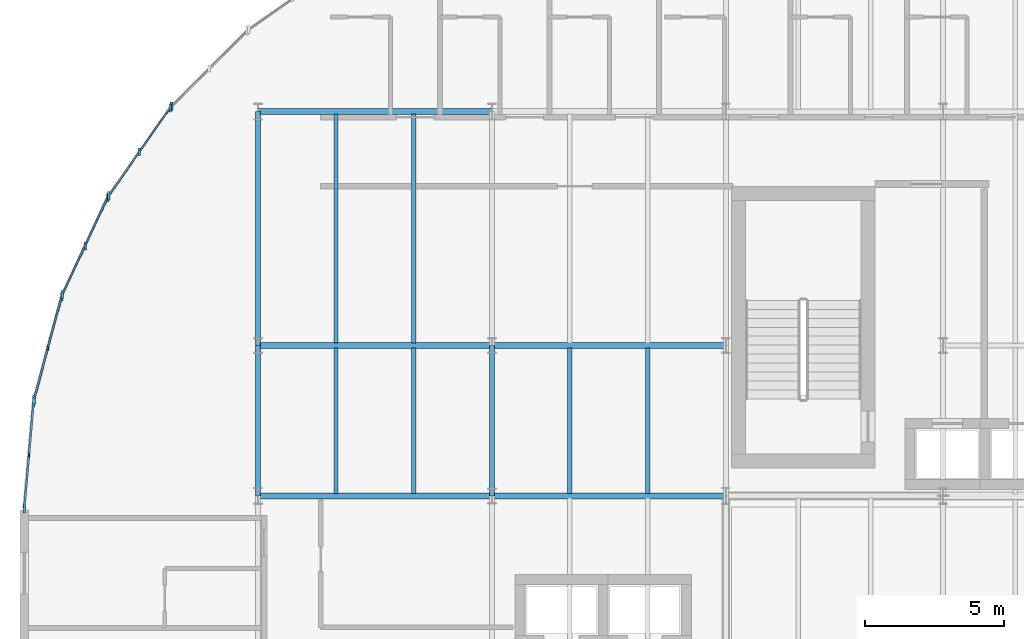
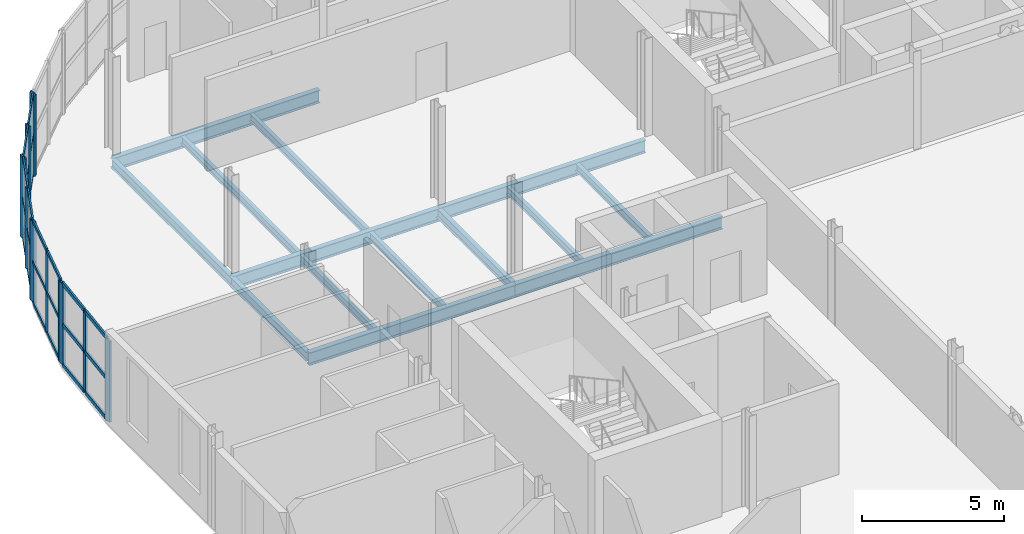
# One storey, part 20 of 58: 37 members, 14 beams, 5 elements without a shape of their own.
"""IFC4 building model written with IfcOpenShell, lengths in metres."""

from ifc_helpers import new_model, si_unit, direction, frame, origin, origin_2d, place, context, subcontext, project, spatial, rectangle, i_section, extrude, material, layer, layer_set, material_profile, profile_set, type_object, element, aggregate, save


model = new_model("IFC4")

# Units and contexts
model_context = context("Model", 3, precision=1e-05, world=origin(), true_north=direction((0.0, 1.0)))
body_context = subcontext(model_context, "Body", "Model", "MODEL_VIEW")
ifc_project = project(units=[si_unit("LENGTHUNIT", "METRE"), si_unit("AREAUNIT", "SQUARE_METRE"), si_unit("VOLUMEUNIT", "CUBIC_METRE"), si_unit("PLANEANGLEUNIT", "RADIAN"), si_unit("MASSUNIT", "GRAM", prefix="KILO")], contexts=[model_context])

# Site, building, storey
site_placement = place(None, origin())
site = spatial("IfcSite", under=ifc_project, at=site_placement, CompositionType="ELEMENT")
building_placement = place(site_placement, origin())
building = spatial("IfcBuilding", under=site, at=building_placement, Name="Sefraquen Railside Congress Hotel", CompositionType="ELEMENT")
storey_placement = place(building_placement, frame((0.0, 0.0, 16.199951171875)))
storey = spatial("IfcBuildingStorey", under=building, at=storey_placement, Name="L03", CompositionType="ELEMENT", Elevation=16.199951171875)

# Beams
ifc_material_1 = material(Name="Steel S355JR", Category="steel")
ifc_material_profile_1 = material_profile(ifc_material_1, i_section(OverallWidth=0.179931640625, OverallDepth=0.39990234375, WebThickness=0.008544921875, FlangeThickness=0.013427734375, FilletRadius=0.02099609375, at=origin_2d()), Name="IPE 400")
ifc_profile_set_1 = profile_set([ifc_material_profile_1], Name="Steel S355JR")
beam_type_1 = type_object("IfcBeamType", Name="TB-BM-400I", PredefinedType="BEAM", material=ifc_profile_set_1)
beam_1_placement = place(storey_placement, frame((8.39990234375, 96.0, -0.47998046875), z_axis=(0.0, 1.0, 0.0), x_axis=(-1.0, 0.0, 0.0)))
element("IfcBeam", 1, at=beam_1_placement, inside=storey, type_object=beam_type_1, Name="Floor beam BM-L03-1136", PredefinedType="BEAM", context=body_context, shape_type="SweptSolid", body=[
    extrude(i_section(OverallWidth=0.179931640625, OverallDepth=0.39990234375, WebThickness=0.008544921875, FlangeThickness=0.013427734375, FilletRadius=0.02099609375, at=origin_2d()), origin(), (0.0, 0.0, 1.0), 5.39990234375),
])
beam_2_placement = place(storey_placement, frame((8.39990234375, 101.39990234375, -0.47998046875), z_axis=(0.0, 1.0, 0.0), x_axis=(-1.0, 0.0, 0.0)))
element("IfcBeam", 2, at=beam_2_placement, inside=storey, type_object=beam_type_1, Name="Floor beam BM-L03-1137", PredefinedType="BEAM", context=body_context, shape_type="SweptSolid", body=[
    extrude(i_section(OverallWidth=0.179931640625, OverallDepth=0.39990234375, WebThickness=0.008544921875, FlangeThickness=0.013427734375, FilletRadius=0.02099609375, at=origin_2d()), origin(), (0.0, 0.0, 1.0), 8.400146484375),
])
beam_3_placement = place(storey_placement, frame((16.800048828125, 96.0, -0.47998046875), z_axis=(0.0, 1.0, 0.0), x_axis=(-1.0, 0.0, 0.0)))
element("IfcBeam", 3, at=beam_3_placement, inside=storey, type_object=beam_type_1, Name="Floor beam BM-L03-1142", PredefinedType="BEAM", context=body_context, shape_type="SweptSolid", body=[
    extrude(i_section(OverallWidth=0.179931640625, OverallDepth=0.39990234375, WebThickness=0.008544921875, FlangeThickness=0.013427734375, FilletRadius=0.02099609375, at=origin_2d()), origin(), (0.0, 0.0, 1.0), 5.39990234375),
])
ifc_material_profile_2 = material_profile(ifc_material_1, i_section(OverallWidth=0.2099609375, OverallDepth=0.550048828125, WebThickness=0.010986328125, FlangeThickness=0.01708984375, FilletRadius=0.02392578125, at=origin_2d()), Name="IPE 550")
ifc_profile_set_2 = profile_set([ifc_material_profile_2], Name="Steel S355JR")
beam_type_2 = type_object("IfcBeamType", Name="TB-GIR-550", PredefinedType="T_BEAM", material=ifc_profile_set_2)
beam_4_placement = place(storey_placement, frame((8.39990234375, 96.0, -0.554931640625), z_axis=(1.0, 0.0, 0.0), x_axis=(0.0, 1.0, 0.0)))
element("IfcBeam", 4, at=beam_4_placement, inside=storey, type_object=beam_type_2, Name="Primary girder BM-L03-1071", PredefinedType="T_BEAM", context=body_context, shape_type="SweptSolid", body=[
    extrude(i_section(OverallWidth=0.2099609375, OverallDepth=0.550048828125, WebThickness=0.010986328125, FlangeThickness=0.01708984375, FilletRadius=0.02392578125, at=origin_2d()), origin(), (0.0, 0.0, 1.0), 8.400146484375),
])
beam_5_placement = place(storey_placement, frame((16.800048828125, 96.0, -0.554931640625), z_axis=(1.0, 0.0, 0.0), x_axis=(0.0, 1.0, 0.0)))
element("IfcBeam", 5, at=beam_5_placement, inside=storey, type_object=beam_type_2, Name="Primary girder BM-L03-1072", PredefinedType="T_BEAM", context=body_context, shape_type="SweptSolid", body=[
    extrude(i_section(OverallWidth=0.2099609375, OverallDepth=0.550048828125, WebThickness=0.010986328125, FlangeThickness=0.01708984375, FilletRadius=0.02392578125, at=origin_2d()), origin(), (0.0, 0.0, 1.0), 8.39990234375),
])
beam_6_placement = place(storey_placement, frame((8.39990234375, 101.39990234375, -0.554931640625), z_axis=(1.0, 0.0, 0.0), x_axis=(0.0, 1.0, 0.0)))
element("IfcBeam", 6, at=beam_6_placement, inside=storey, type_object=beam_type_2, Name="Primary girder BM-L03-1091", PredefinedType="T_BEAM", context=body_context, shape_type="SweptSolid", body=[
    extrude(i_section(OverallWidth=0.2099609375, OverallDepth=0.550048828125, WebThickness=0.010986328125, FlangeThickness=0.01708984375, FilletRadius=0.02392578125, at=origin_2d()), origin(), (0.0, 0.0, 1.0), 8.400146484375),
])
beam_7_placement = place(storey_placement, frame((16.800048828125, 101.39990234375, -0.554931640625), z_axis=(1.0, 0.0, 0.0), x_axis=(0.0, 1.0, 0.0)))
element("IfcBeam", 7, at=beam_7_placement, inside=storey, type_object=beam_type_2, Name="Primary girder BM-L03-1092", PredefinedType="T_BEAM", context=body_context, shape_type="SweptSolid", body=[
    extrude(i_section(OverallWidth=0.2099609375, OverallDepth=0.550048828125, WebThickness=0.010986328125, FlangeThickness=0.01708984375, FilletRadius=0.02392578125, at=origin_2d()), origin(), (0.0, 0.0, 1.0), 8.39990234375),
])
beam_8_placement = place(storey_placement, frame((8.39990234375, 109.800048828125, -0.554931640625), z_axis=(1.0, 0.0, 0.0), x_axis=(0.0, 1.0, 0.0)))
element("IfcBeam", 8, at=beam_8_placement, inside=storey, type_object=beam_type_2, Name="Primary girder BM-L03-1103", PredefinedType="T_BEAM", context=body_context, shape_type="SweptSolid", body=[
    extrude(i_section(OverallWidth=0.2099609375, OverallDepth=0.550048828125, WebThickness=0.010986328125, FlangeThickness=0.01708984375, FilletRadius=0.02392578125, at=origin_2d()), origin(), (0.0, 0.0, 1.0), 8.400146484375),
])
ifc_material_profile_3 = material_profile(ifc_material_1, i_section(OverallWidth=0.159912109375, OverallDepth=0.330078125, WebThickness=0.007568359375, FlangeThickness=0.011474609375, FilletRadius=0.01806640625, at=origin_2d()), Name="IPE 330")
ifc_profile_set_3 = profile_set([ifc_material_profile_3], Name="Steel S355JR")
beam_type_3 = type_object("IfcBeamType", Name="TB-JST-330", PredefinedType="JOIST", material=ifc_profile_set_3)
for number, where, z_axis, x_axis, name in (
    (9, (11.199951171875, 96.0849609375, -0.445068359375), (0.0, 1.0, 0.0), (-1.0, 0.0, 0.0), "Composite floor joist BM-L03-J0662"),
    (10, (14.0, 96.0849609375, -0.445068359375), (0.0, 1.0, 0.0), (-1.0, 0.0, 0.0), "Composite floor joist BM-L03-J0663"),
):
    element("IfcBeam", number, at=place(storey_placement, frame(where, z_axis=z_axis, x_axis=x_axis)), inside=storey, type_object=beam_type_3, Name=name, PredefinedType="JOIST", context=body_context, shape_type="SweptSolid", body=[
        extrude(i_section(OverallWidth=0.159912109375, OverallDepth=0.330078125, WebThickness=0.007568359375, FlangeThickness=0.011474609375, FilletRadius=0.01806640625, at=origin_2d()), origin(), (0.0, 0.0, 1.0), 5.22998046875),
    ])
for number, where, z_axis, x_axis, name in (
    (11, (11.199951171875, 101.485107421875, -0.445068359375), (0.0, 1.0, 0.0), (-1.0, 0.0, 0.0), "Composite floor joist BM-L03-J0664"),
    (12, (14.0, 101.485107421875, -0.445068359375), (0.0, 1.0, 0.0), (-1.0, 0.0, 0.0), "Composite floor joist BM-L03-J0665"),
):
    element("IfcBeam", number, at=place(storey_placement, frame(where, z_axis=z_axis, x_axis=x_axis)), inside=storey, type_object=beam_type_3, Name=name, PredefinedType="JOIST", context=body_context, shape_type="SweptSolid", body=[
        extrude(i_section(OverallWidth=0.159912109375, OverallDepth=0.330078125, WebThickness=0.007568359375, FlangeThickness=0.011474609375, FilletRadius=0.01806640625, at=origin_2d()), origin(), (0.0, 0.0, 1.0), 8.22998046875),
    ])
for number, where, z_axis, x_axis, name in (
    (13, (19.60009765625, 96.0849609375, -0.445068359375), (0.0, 1.0, 0.0), (-1.0, 0.0, 0.0), "Composite floor joist BM-L03-J0674"),
    (14, (22.39990234375, 96.0849609375, -0.445068359375), (0.0, 1.0, 0.0), (-1.0, 0.0, 0.0), "Composite floor joist BM-L03-J0675"),
):
    element("IfcBeam", number, at=place(storey_placement, frame(where, z_axis=z_axis, x_axis=x_axis)), inside=storey, type_object=beam_type_3, Name=name, PredefinedType="JOIST", context=body_context, shape_type="SweptSolid", body=[
        extrude(i_section(OverallWidth=0.159912109375, OverallDepth=0.330078125, WebThickness=0.007568359375, FlangeThickness=0.011474609375, FilletRadius=0.01806640625, at=origin_2d()), origin(), (0.0, 0.0, 1.0), 5.22998046875),
    ])

# Curtain wall, member
ifc_material_2 = material(Name="Thermally broken anodised aluminium and low-E double glazing", Category="aluminium")
ifc_layer_1 = layer(ifc_material_2, 0.199951171875)
ifc_layer_set_1 = layer_set([ifc_layer_1], Name="Thermally broken anodised aluminium and low-E double glazing")
curtain_wall_type_1 = type_object("IfcCurtainWallType", Name="TCW-UCW-03", PredefinedType="USERDEFINED", material=ifc_layer_set_1)
curtain_wall_1_placement = place(storey_placement, origin())
curtain_wall_1 = element("IfcCurtainWall", 15, at=curtain_wall_1_placement, inside=storey, type_object=curtain_wall_type_1, Name="Rotunda L03 curved curtain wall facet 8", ObjectType="UNITISED CURTAIN WALL", PredefinedType="USERDEFINED")
ifc_material_3 = material(Name="Thermally broken anodised aluminium 6063-T6", Category="aluminium")
ifc_material_profile_4 = material_profile(ifc_material_3, rectangle(XDim=0.06005859375, YDim=0.159912109375, at=origin_2d()), Name="CWM 60x160")
ifc_profile_set_4 = profile_set([ifc_material_profile_4], Name="Thermally broken anodised aluminium 6063-T6")
member_type_1 = type_object("IfcMemberType", Name="TM-CWM-01", PredefinedType="MULLION", material=ifc_profile_set_4)
member_1_placement = place(storey_placement, frame((0.849365234375, 101.30126953125, 0.0), z_axis=(0.0, 0.0, 1.0), x_axis=(1.0, 0.0, 0.0)))
member_1 = element("IfcMember", 16, at=member_1_placement, type_object=member_type_1, Name="CW-L03-ROT-08 mullion 2", PredefinedType="MULLION", context=body_context, shape_type="SweptSolid", body=[
    extrude(rectangle(XDim=0.06005859375, YDim=0.159912109375, at=origin_2d()), origin(), (0.0, 0.0, 1.0), 3.469970703125),
])

ifc_layer_2 = layer(ifc_material_2, 0.199951171875)
ifc_layer_set_2 = layer_set([ifc_layer_2], Name="Thermally broken anodised aluminium and low-E double glazing")
curtain_wall_type_2 = type_object("IfcCurtainWallType", Name="TCW-UCW-04", PredefinedType="USERDEFINED", material=ifc_layer_set_2)
curtain_wall_2_placement = place(storey_placement, origin())
curtain_wall_2 = element("IfcCurtainWall", 17, at=curtain_wall_2_placement, inside=storey, type_object=curtain_wall_type_2, Name="Rotunda L03 curved curtain wall facet 9", ObjectType="UNITISED CURTAIN WALL", PredefinedType="USERDEFINED")
ifc_material_profile_5 = material_profile(ifc_material_3, rectangle(XDim=0.06494140625, YDim=0.179931640625, at=origin_2d()), Name="CWM 65x180")
ifc_profile_set_5 = profile_set([ifc_material_profile_5], Name="Thermally broken anodised aluminium 6063-T6")
member_type_2 = type_object("IfcMemberType", Name="TM-CWM-02", PredefinedType="MULLION", material=ifc_profile_set_5)
member_2_placement = place(storey_placement, frame((0.1708984375, 97.45361328125, 0.0), z_axis=(0.0, 0.0, 1.0), x_axis=(1.0, 0.0, 0.0)))
member_2 = element("IfcMember", 18, at=member_2_placement, type_object=member_type_2, Name="CW-L03-ROT-09 mullion 2", PredefinedType="MULLION", context=body_context, shape_type="SweptSolid", body=[
    extrude(rectangle(XDim=0.06494140625, YDim=0.179931640625, at=origin_2d()), origin(), (0.0, 0.0, 1.0), 3.469970703125),
])

ifc_layer_3 = layer(ifc_material_2, 0.199951171875)
ifc_layer_set_3 = layer_set([ifc_layer_3], Name="Thermally broken anodised aluminium and low-E double glazing")
curtain_wall_type_3 = type_object("IfcCurtainWallType", Name="TCW-UCW-01", PredefinedType="USERDEFINED", material=ifc_layer_set_3)
curtain_wall_3_placement = place(storey_placement, origin())
curtain_wall_3 = element("IfcCurtainWall", 19, at=curtain_wall_3_placement, inside=storey, type_object=curtain_wall_type_3, Name="Rotunda L03 curved curtain wall facet 6", ObjectType="UNITISED CURTAIN WALL", PredefinedType="USERDEFINED")
ifc_material_profile_6 = material_profile(ifc_material_3, rectangle(XDim=0.0849609375, YDim=0.260009765625, at=origin_2d()), Name="CWM 85x260")
ifc_profile_set_6 = profile_set([ifc_material_profile_6], Name="Thermally broken anodised aluminium 6063-T6")
member_type_3 = type_object("IfcMemberType", Name="TM-CWM-06", PredefinedType="MULLION", material=ifc_profile_set_6)
member_3_placement = place(storey_placement, frame((4.13916015625, 108.356201171875, 0.0), z_axis=(0.0, 0.0, 1.0), x_axis=(1.0, 0.0, 0.0)))
member_3 = element("IfcMember", 20, at=member_3_placement, type_object=member_type_3, Name="CW-L03-ROT-06 mullion 2", PredefinedType="MULLION", context=body_context, shape_type="SweptSolid", body=[
    extrude(rectangle(XDim=0.0849609375, YDim=0.260009765625, at=origin_2d()), origin(), (0.0, 0.0, 1.0), 3.469970703125),
])

ifc_layer_4 = layer(ifc_material_2, 0.199951171875)
ifc_layer_set_4 = layer_set([ifc_layer_4], Name="Thermally broken anodised aluminium and low-E double glazing")
curtain_wall_type_4 = type_object("IfcCurtainWallType", Name="TCW-UCW-02", PredefinedType="USERDEFINED", material=ifc_layer_set_4)
curtain_wall_4_placement = place(storey_placement, origin())
curtain_wall_4 = element("IfcCurtainWall", 21, at=curtain_wall_4_placement, inside=storey, type_object=curtain_wall_type_4, Name="Rotunda L03 curved curtain wall facet 7", ObjectType="UNITISED CURTAIN WALL", PredefinedType="USERDEFINED")
ifc_material_profile_7 = material_profile(ifc_material_3, rectangle(XDim=0.090087890625, YDim=0.280029296875, at=origin_2d()), Name="CWM 90x280")
ifc_profile_set_7 = profile_set([ifc_material_profile_7], Name="Thermally broken anodised aluminium 6063-T6")
member_type_4 = type_object("IfcMemberType", Name="TM-CWM-07", PredefinedType="MULLION", material=ifc_profile_set_7)
member_4_placement = place(storey_placement, frame((2.185546875, 104.972900390625, 0.0), z_axis=(0.0, 0.0, 1.0), x_axis=(1.0, 0.0, 0.0)))
member_4 = element("IfcMember", 22, at=member_4_placement, type_object=member_type_4, Name="CW-L03-ROT-07 mullion 2", PredefinedType="MULLION", context=body_context, shape_type="SweptSolid", body=[
    extrude(rectangle(XDim=0.090087890625, YDim=0.280029296875, at=origin_2d()), origin(), (0.0, 0.0, 1.0), 3.469970703125),
])

ifc_layer_5 = layer(ifc_material_2, 0.199951171875)
ifc_layer_set_5 = layer_set([ifc_layer_5], Name="Thermally broken anodised aluminium and low-E double glazing")
curtain_wall_type_5 = type_object("IfcCurtainWallType", Name="TCW-UCW-32", PredefinedType="USERDEFINED", material=ifc_layer_set_5)
curtain_wall_5_placement = place(storey_placement, origin())
curtain_wall_5 = element("IfcCurtainWall", 23, at=curtain_wall_5_placement, inside=storey, type_object=curtain_wall_type_5, Name="Rotunda L03 curved curtain wall facet 5", ObjectType="UNITISED CURTAIN WALL", PredefinedType="USERDEFINED")
ifc_material_profile_8 = material_profile(ifc_material_3, rectangle(XDim=0.094970703125, YDim=0.300048828125, at=origin_2d()), Name="CWM 95x300")
ifc_profile_set_8 = profile_set([ifc_material_profile_8], Name="Thermally broken anodised aluminium 6063-T6")
member_type_5 = type_object("IfcMemberType", Name="TM-CWM-08", PredefinedType="MULLION", material=ifc_profile_set_8)
member_5_placement = place(storey_placement, frame((5.292236328125, 109.990966796875, 0.0), z_axis=(0.0, 0.0, 1.0), x_axis=(1.0, 0.0, 0.0)))
member_5 = element("IfcMember", 24, at=member_5_placement, type_object=member_type_5, Name="CW-L03-ROT-05 mullion 3", PredefinedType="MULLION", context=body_context, shape_type="SweptSolid", body=[
    extrude(rectangle(XDim=0.094970703125, YDim=0.300048828125, at=origin_2d()), origin(), (0.0, 0.0, 1.0), 3.469970703125),
])
aggregate(curtain_wall_5, [member_5])

# Member
member_6_placement = place(storey_placement, frame((5.2412109375, 109.929931640625, 0.0), z_axis=(0.0, 0.0, 1.0), x_axis=(1.0, 0.0, 0.0)))
member_6 = element("IfcMember", 25, at=member_6_placement, type_object=member_type_5, Name="CW-L03-ROT-06 mullion 1", PredefinedType="MULLION", context=body_context, shape_type="SweptSolid", body=[
    extrude(rectangle(XDim=0.094970703125, YDim=0.300048828125, at=origin_2d()), origin(), (0.0, 0.0, 1.0), 3.469970703125),
])

member_7_placement = place(storey_placement, frame((3.037353515625, 106.78271484375, 0.0), z_axis=(0.0, 0.0, 1.0), x_axis=(1.0, 0.0, 0.0)))
member_7 = element("IfcMember", 26, at=member_7_placement, type_object=member_type_5, Name="CW-L03-ROT-06 mullion 3", PredefinedType="MULLION", context=body_context, shape_type="SweptSolid", body=[
    extrude(rectangle(XDim=0.094970703125, YDim=0.300048828125, at=origin_2d()), origin(), (0.0, 0.0, 1.0), 3.469970703125),
])

member_8_placement = place(storey_placement, frame((2.99755859375, 106.713623046875, 0.0), z_axis=(0.0, 0.0, 1.0), x_axis=(1.0, 0.0, 0.0)))
member_8 = element("IfcMember", 27, at=member_8_placement, type_object=member_type_5, Name="CW-L03-ROT-07 mullion 1", PredefinedType="MULLION", context=body_context, shape_type="SweptSolid", body=[
    extrude(rectangle(XDim=0.094970703125, YDim=0.300048828125, at=origin_2d()), origin(), (0.0, 0.0, 1.0), 3.469970703125),
])

member_9_placement = place(storey_placement, frame((1.373779296875, 103.231689453125, 0.0), z_axis=(0.0, 0.0, 1.0), x_axis=(1.0, 0.0, 0.0)))
member_9 = element("IfcMember", 28, at=member_9_placement, type_object=member_type_5, Name="CW-L03-ROT-07 mullion 3", PredefinedType="MULLION", context=body_context, shape_type="SweptSolid", body=[
    extrude(rectangle(XDim=0.094970703125, YDim=0.300048828125, at=origin_2d()), origin(), (0.0, 0.0, 1.0), 3.469970703125),
])

member_10_placement = place(storey_placement, frame((1.346435546875, 103.156982421875, 0.0), z_axis=(0.0, 0.0, 1.0), x_axis=(1.0, 0.0, 0.0)))
member_10 = element("IfcMember", 29, at=member_10_placement, type_object=member_type_5, Name="CW-L03-ROT-08 mullion 1", PredefinedType="MULLION", context=body_context, shape_type="SweptSolid", body=[
    extrude(rectangle(XDim=0.094970703125, YDim=0.300048828125, at=origin_2d()), origin(), (0.0, 0.0, 1.0), 3.469970703125),
])

member_11_placement = place(storey_placement, frame((0.352294921875, 99.44580078125, 0.0), z_axis=(0.0, 0.0, 1.0), x_axis=(1.0, 0.0, 0.0)))
member_11 = element("IfcMember", 30, at=member_11_placement, type_object=member_type_5, Name="CW-L03-ROT-08 mullion 3", PredefinedType="MULLION", context=body_context, shape_type="SweptSolid", body=[
    extrude(rectangle(XDim=0.094970703125, YDim=0.300048828125, at=origin_2d()), origin(), (0.0, 0.0, 1.0), 3.469970703125),
])

member_12_placement = place(storey_placement, frame((0.33837890625, 99.3671875, 0.0), z_axis=(0.0, 0.0, 1.0), x_axis=(1.0, 0.0, 0.0)))
member_12 = element("IfcMember", 31, at=member_12_placement, type_object=member_type_5, Name="CW-L03-ROT-09 mullion 1", PredefinedType="MULLION", context=body_context, shape_type="SweptSolid", body=[
    extrude(rectangle(XDim=0.094970703125, YDim=0.300048828125, at=origin_2d()), origin(), (0.0, 0.0, 1.0), 3.469970703125),
])

member_13_placement = place(storey_placement, frame((0.00341796875, 95.539794921875, 0.0), z_axis=(0.0, 0.0, 1.0), x_axis=(1.0, 0.0, 0.0)))
member_13 = element("IfcMember", 32, at=member_13_placement, type_object=member_type_5, Name="CW-L03-ROT-09 mullion 3", PredefinedType="MULLION", context=body_context, shape_type="SweptSolid", body=[
    extrude(rectangle(XDim=0.094970703125, YDim=0.300048828125, at=origin_2d()), origin(), (0.0, 0.0, 1.0), 3.469970703125),
])

ifc_material_profile_9 = material_profile(ifc_material_3, rectangle(XDim=0.06005859375, YDim=0.1201171875, at=origin_2d()), Name="CWT 60x120")
ifc_profile_set_9 = profile_set([ifc_material_profile_9], Name="Thermally broken anodised aluminium 6063-T6")
member_type_6 = type_object("IfcMemberType", Name="TM-CWT-01", PredefinedType="USERDEFINED", material=ifc_profile_set_9)
member_14_placement = place(storey_placement, frame((5.21533203125, 109.89306640625, 0.0), z_axis=(-0.573632363976, -0.819112880499, 0.0), x_axis=(0.819112880499, -0.573632363976, 0.0)))
member_14 = element("IfcMember", 33, at=member_14_placement, type_object=member_type_6, Name="CW-L03-ROT-06 transom 1.1", ObjectType="TRANSOM", PredefinedType="USERDEFINED", context=body_context, shape_type="SweptSolid", body=[
    extrude(rectangle(XDim=0.06005859375, YDim=0.1201171875, at=origin_2d()), origin(), (0.0, 0.0, 1.0), 1.8310546875),
])

member_15_placement = place(storey_placement, frame((4.11328125, 108.319580078125, 0.0), z_axis=(-0.573480241742, -0.819219392063, 0.0), x_axis=(0.819219392063, -0.573480241742, 0.0)))
member_15 = element("IfcMember", 34, at=member_15_placement, type_object=member_type_6, Name="CW-L03-ROT-06 transom 1.2", ObjectType="TRANSOM", PredefinedType="USERDEFINED", context=body_context, shape_type="SweptSolid", body=[
    extrude(rectangle(XDim=0.06005859375, YDim=0.1201171875, at=origin_2d()), origin(), (0.0, 0.0, 1.0), 1.8310546875),
])

member_16_placement = place(storey_placement, frame((5.21533203125, 109.89306640625, 1.735107421875), z_axis=(-0.573632363976, -0.819112880499, 0.0), x_axis=(0.819112880499, -0.573632363976, 0.0)))
member_16 = element("IfcMember", 35, at=member_16_placement, type_object=member_type_6, Name="CW-L03-ROT-06 transom 2.1", ObjectType="TRANSOM", PredefinedType="USERDEFINED", context=body_context, shape_type="SweptSolid", body=[
    extrude(rectangle(XDim=0.06005859375, YDim=0.1201171875, at=origin_2d()), origin(), (0.0, 0.0, 1.0), 1.8310546875),
])

member_17_placement = place(storey_placement, frame((4.11328125, 108.319580078125, 1.735107421875), z_axis=(-0.573480241742, -0.819219392063, 0.0), x_axis=(0.819219392063, -0.573480241742, 0.0)))
member_17 = element("IfcMember", 36, at=member_17_placement, type_object=member_type_6, Name="CW-L03-ROT-06 transom 2.2", ObjectType="TRANSOM", PredefinedType="USERDEFINED", context=body_context, shape_type="SweptSolid", body=[
    extrude(rectangle(XDim=0.06005859375, YDim=0.1201171875, at=origin_2d()), origin(), (0.0, 0.0, 1.0), 1.8310546875),
])

member_18_placement = place(storey_placement, frame((5.21533203125, 109.89306640625, 3.469970703125), z_axis=(-0.573632363976, -0.819112880499, 0.0), x_axis=(0.819112880499, -0.573632363976, 0.0)))
member_18 = element("IfcMember", 37, at=member_18_placement, type_object=member_type_6, Name="CW-L03-ROT-06 transom 3.1", ObjectType="TRANSOM", PredefinedType="USERDEFINED", context=body_context, shape_type="SweptSolid", body=[
    extrude(rectangle(XDim=0.06005859375, YDim=0.1201171875, at=origin_2d()), origin(), (0.0, 0.0, 1.0), 1.8310546875),
])

member_19_placement = place(storey_placement, frame((4.11328125, 108.319580078125, 3.469970703125), z_axis=(-0.573480241742, -0.819219392063, 0.0), x_axis=(0.819219392063, -0.573480241742, 0.0)))
member_19 = element("IfcMember", 38, at=member_19_placement, type_object=member_type_6, Name="CW-L03-ROT-06 transom 3.2", ObjectType="TRANSOM", PredefinedType="USERDEFINED", context=body_context, shape_type="SweptSolid", body=[
    extrude(rectangle(XDim=0.06005859375, YDim=0.1201171875, at=origin_2d()), origin(), (0.0, 0.0, 1.0), 1.8310546875),
])

aggregate(curtain_wall_3, [member_6, member_3, member_7, member_14, member_15, member_16, member_17, member_18, member_19])

ifc_material_profile_10 = material_profile(ifc_material_3, rectangle(XDim=0.06494140625, YDim=0.135009765625, at=origin_2d()), Name="CWT 65x135")
ifc_profile_set_10 = profile_set([ifc_material_profile_10], Name="Thermally broken anodised aluminium 6063-T6")
member_type_7 = type_object("IfcMemberType", Name="TM-CWT-02", PredefinedType="USERDEFINED", material=ifc_profile_set_10)
member_20_placement = place(storey_placement, frame((2.978515625, 106.6728515625, 0.0), z_axis=(-0.422673771403, -0.906281900386, 0.0), x_axis=(0.906281900386, -0.422673771403, 0.0)))
member_20 = element("IfcMember", 39, at=member_20_placement, type_object=member_type_7, Name="CW-L03-ROT-07 transom 1.1", ObjectType="TRANSOM", PredefinedType="USERDEFINED", context=body_context, shape_type="SweptSolid", body=[
    extrude(rectangle(XDim=0.06494140625, YDim=0.135009765625, at=origin_2d()), origin(), (0.0, 0.0, 1.0), 1.8310546875),
])

member_21_placement = place(storey_placement, frame((2.166748046875, 104.931884765625, 0.0), z_axis=(-0.422724852641, -0.906258075252, 0.0), x_axis=(0.906258075252, -0.422724852641, 0.0)))
member_21 = element("IfcMember", 40, at=member_21_placement, type_object=member_type_7, Name="CW-L03-ROT-07 transom 1.2", ObjectType="TRANSOM", PredefinedType="USERDEFINED", context=body_context, shape_type="SweptSolid", body=[
    extrude(rectangle(XDim=0.06494140625, YDim=0.135009765625, at=origin_2d()), origin(), (0.0, 0.0, 1.0), 1.830810546875),
])

member_22_placement = place(storey_placement, frame((2.978515625, 106.6728515625, 1.735107421875), z_axis=(-0.422673771403, -0.906281900386, 0.0), x_axis=(0.906281900386, -0.422673771403, 0.0)))
member_22 = element("IfcMember", 41, at=member_22_placement, type_object=member_type_7, Name="CW-L03-ROT-07 transom 2.1", ObjectType="TRANSOM", PredefinedType="USERDEFINED", context=body_context, shape_type="SweptSolid", body=[
    extrude(rectangle(XDim=0.06494140625, YDim=0.135009765625, at=origin_2d()), origin(), (0.0, 0.0, 1.0), 1.8310546875),
])

member_23_placement = place(storey_placement, frame((2.166748046875, 104.931884765625, 1.735107421875), z_axis=(-0.422724852641, -0.906258075252, 0.0), x_axis=(0.906258075252, -0.422724852641, 0.0)))
member_23 = element("IfcMember", 42, at=member_23_placement, type_object=member_type_7, Name="CW-L03-ROT-07 transom 2.2", ObjectType="TRANSOM", PredefinedType="USERDEFINED", context=body_context, shape_type="SweptSolid", body=[
    extrude(rectangle(XDim=0.06494140625, YDim=0.135009765625, at=origin_2d()), origin(), (0.0, 0.0, 1.0), 1.830810546875),
])

member_24_placement = place(storey_placement, frame((2.978515625, 106.6728515625, 3.469970703125), z_axis=(-0.422673771403, -0.906281900386, 0.0), x_axis=(0.906281900386, -0.422673771403, 0.0)))
member_24 = element("IfcMember", 43, at=member_24_placement, type_object=member_type_7, Name="CW-L03-ROT-07 transom 3.1", ObjectType="TRANSOM", PredefinedType="USERDEFINED", context=body_context, shape_type="SweptSolid", body=[
    extrude(rectangle(XDim=0.06494140625, YDim=0.135009765625, at=origin_2d()), origin(), (0.0, 0.0, 1.0), 1.8310546875),
])

member_25_placement = place(storey_placement, frame((2.166748046875, 104.931884765625, 3.469970703125), z_axis=(-0.422724852641, -0.906258075252, 0.0), x_axis=(0.906258075252, -0.422724852641, 0.0)))
member_25 = element("IfcMember", 44, at=member_25_placement, type_object=member_type_7, Name="CW-L03-ROT-07 transom 3.2", ObjectType="TRANSOM", PredefinedType="USERDEFINED", context=body_context, shape_type="SweptSolid", body=[
    extrude(rectangle(XDim=0.06494140625, YDim=0.135009765625, at=origin_2d()), origin(), (0.0, 0.0, 1.0), 1.830810546875),
])

aggregate(curtain_wall_4, [member_8, member_4, member_9, member_20, member_21, member_22, member_23, member_24, member_25])

ifc_material_profile_11 = material_profile(ifc_material_3, rectangle(XDim=0.070068359375, YDim=0.14990234375, at=origin_2d()), Name="CWT 70x150")
ifc_profile_set_11 = profile_set([ifc_material_profile_11], Name="Thermally broken anodised aluminium 6063-T6")
member_type_8 = type_object("IfcMemberType", Name="TM-CWT-03", PredefinedType="USERDEFINED", material=ifc_profile_set_11)
member_26_placement = place(storey_placement, frame((1.3349609375, 103.11328125, 0.0), z_axis=(-0.25894046868, -0.965893282759, 0.0), x_axis=(0.965893282759, -0.25894046868, 0.0)))
member_26 = element("IfcMember", 45, at=member_26_placement, type_object=member_type_8, Name="CW-L03-ROT-08 transom 1.1", ObjectType="TRANSOM", PredefinedType="USERDEFINED", context=body_context, shape_type="SweptSolid", body=[
    extrude(rectangle(XDim=0.070068359375, YDim=0.14990234375, at=origin_2d()), origin(), (0.0, 0.0, 1.0), 1.8310546875),
])

member_27_placement = place(storey_placement, frame((0.837646484375, 101.2578125, 0.0), z_axis=(-0.258816065499, -0.965926624666, 0.0), x_axis=(0.965926624666, -0.258816065499, 0.0)))
member_27 = element("IfcMember", 46, at=member_27_placement, type_object=member_type_8, Name="CW-L03-ROT-08 transom 1.2", ObjectType="TRANSOM", PredefinedType="USERDEFINED", context=body_context, shape_type="SweptSolid", body=[
    extrude(rectangle(XDim=0.070068359375, YDim=0.14990234375, at=origin_2d()), origin(), (0.0, 0.0, 1.0), 1.8310546875),
])

member_28_placement = place(storey_placement, frame((1.3349609375, 103.11328125, 1.735107421875), z_axis=(-0.25894046868, -0.965893282759, 0.0), x_axis=(0.965893282759, -0.25894046868, 0.0)))
member_28 = element("IfcMember", 47, at=member_28_placement, type_object=member_type_8, Name="CW-L03-ROT-08 transom 2.1", ObjectType="TRANSOM", PredefinedType="USERDEFINED", context=body_context, shape_type="SweptSolid", body=[
    extrude(rectangle(XDim=0.070068359375, YDim=0.14990234375, at=origin_2d()), origin(), (0.0, 0.0, 1.0), 1.8310546875),
])

member_29_placement = place(storey_placement, frame((0.837646484375, 101.2578125, 1.735107421875), z_axis=(-0.258816065499, -0.965926624666, 0.0), x_axis=(0.965926624666, -0.258816065499, 0.0)))
member_29 = element("IfcMember", 48, at=member_29_placement, type_object=member_type_8, Name="CW-L03-ROT-08 transom 2.2", ObjectType="TRANSOM", PredefinedType="USERDEFINED", context=body_context, shape_type="SweptSolid", body=[
    extrude(rectangle(XDim=0.070068359375, YDim=0.14990234375, at=origin_2d()), origin(), (0.0, 0.0, 1.0), 1.8310546875),
])

member_30_placement = place(storey_placement, frame((1.3349609375, 103.11328125, 3.469970703125), z_axis=(-0.25894046868, -0.965893282759, 0.0), x_axis=(0.965893282759, -0.25894046868, 0.0)))
member_30 = element("IfcMember", 49, at=member_30_placement, type_object=member_type_8, Name="CW-L03-ROT-08 transom 3.1", ObjectType="TRANSOM", PredefinedType="USERDEFINED", context=body_context, shape_type="SweptSolid", body=[
    extrude(rectangle(XDim=0.070068359375, YDim=0.14990234375, at=origin_2d()), origin(), (0.0, 0.0, 1.0), 1.8310546875),
])

member_31_placement = place(storey_placement, frame((0.837646484375, 101.2578125, 3.469970703125), z_axis=(-0.258816065499, -0.965926624666, 0.0), x_axis=(0.965926624666, -0.258816065499, 0.0)))
member_31 = element("IfcMember", 50, at=member_31_placement, type_object=member_type_8, Name="CW-L03-ROT-08 transom 3.2", ObjectType="TRANSOM", PredefinedType="USERDEFINED", context=body_context, shape_type="SweptSolid", body=[
    extrude(rectangle(XDim=0.070068359375, YDim=0.14990234375, at=origin_2d()), origin(), (0.0, 0.0, 1.0), 1.8310546875),
])

aggregate(curtain_wall_1, [member_10, member_1, member_11, member_26, member_27, member_28, member_29, member_30, member_31])

ifc_material_profile_12 = material_profile(ifc_material_3, rectangle(XDim=0.074951171875, YDim=0.1650390625, at=origin_2d()), Name="CWT 75x165")
ifc_profile_set_12 = profile_set([ifc_material_profile_12], Name="Thermally broken anodised aluminium 6063-T6")
member_type_9 = type_object("IfcMemberType", Name="TM-CWT-04", PredefinedType="USERDEFINED", material=ifc_profile_set_12)
member_32_placement = place(storey_placement, frame((0.33447265625, 99.322509765625, 0.0), z_axis=(-0.087193412302, -0.996191401715, 0.0), x_axis=(0.996191401715, -0.087193412302, 0.0)))
member_32 = element("IfcMember", 51, at=member_32_placement, type_object=member_type_9, Name="CW-L03-ROT-09 transom 1.1", ObjectType="TRANSOM", PredefinedType="USERDEFINED", context=body_context, shape_type="SweptSolid", body=[
    extrude(rectangle(XDim=0.074951171875, YDim=0.1650390625, at=origin_2d()), origin(), (0.0, 0.0, 1.0), 1.831298828125),
])

member_33_placement = place(storey_placement, frame((0.1669921875, 97.40869140625, 0.0), z_axis=(-0.08720499447, -0.996190387898, 0.0), x_axis=(0.996190387898, -0.08720499447, 0.0)))
member_33 = element("IfcMember", 52, at=member_33_placement, type_object=member_type_9, Name="CW-L03-ROT-09 transom 1.2", ObjectType="TRANSOM", PredefinedType="USERDEFINED", context=body_context, shape_type="SweptSolid", body=[
    extrude(rectangle(XDim=0.074951171875, YDim=0.1650390625, at=origin_2d()), origin(), (0.0, 0.0, 1.0), 1.8310546875),
])

member_34_placement = place(storey_placement, frame((0.33447265625, 99.322509765625, 1.735107421875), z_axis=(-0.087193412302, -0.996191401715, 0.0), x_axis=(0.996191401715, -0.087193412302, 0.0)))
member_34 = element("IfcMember", 53, at=member_34_placement, type_object=member_type_9, Name="CW-L03-ROT-09 transom 2.1", ObjectType="TRANSOM", PredefinedType="USERDEFINED", context=body_context, shape_type="SweptSolid", body=[
    extrude(rectangle(XDim=0.074951171875, YDim=0.1650390625, at=origin_2d()), origin(), (0.0, 0.0, 1.0), 1.831298828125),
])

member_35_placement = place(storey_placement, frame((0.1669921875, 97.40869140625, 1.735107421875), z_axis=(-0.08720499447, -0.996190387898, 0.0), x_axis=(0.996190387898, -0.08720499447, 0.0)))
member_35 = element("IfcMember", 54, at=member_35_placement, type_object=member_type_9, Name="CW-L03-ROT-09 transom 2.2", ObjectType="TRANSOM", PredefinedType="USERDEFINED", context=body_context, shape_type="SweptSolid", body=[
    extrude(rectangle(XDim=0.074951171875, YDim=0.1650390625, at=origin_2d()), origin(), (0.0, 0.0, 1.0), 1.8310546875),
])

member_36_placement = place(storey_placement, frame((0.33447265625, 99.322509765625, 3.469970703125), z_axis=(-0.087193412302, -0.996191401715, 0.0), x_axis=(0.996191401715, -0.087193412302, 0.0)))
member_36 = element("IfcMember", 55, at=member_36_placement, type_object=member_type_9, Name="CW-L03-ROT-09 transom 3.1", ObjectType="TRANSOM", PredefinedType="USERDEFINED", context=body_context, shape_type="SweptSolid", body=[
    extrude(rectangle(XDim=0.074951171875, YDim=0.1650390625, at=origin_2d()), origin(), (0.0, 0.0, 1.0), 1.831298828125),
])

member_37_placement = place(storey_placement, frame((0.1669921875, 97.40869140625, 3.469970703125), z_axis=(-0.08720499447, -0.996190387898, 0.0), x_axis=(0.996190387898, -0.08720499447, 0.0)))
member_37 = element("IfcMember", 56, at=member_37_placement, type_object=member_type_9, Name="CW-L03-ROT-09 transom 3.2", ObjectType="TRANSOM", PredefinedType="USERDEFINED", context=body_context, shape_type="SweptSolid", body=[
    extrude(rectangle(XDim=0.074951171875, YDim=0.1650390625, at=origin_2d()), origin(), (0.0, 0.0, 1.0), 1.8310546875),
])

aggregate(curtain_wall_2, [member_12, member_2, member_13, member_32, member_33, member_34, member_35, member_36, member_37])

save(model, "model.ifc")
